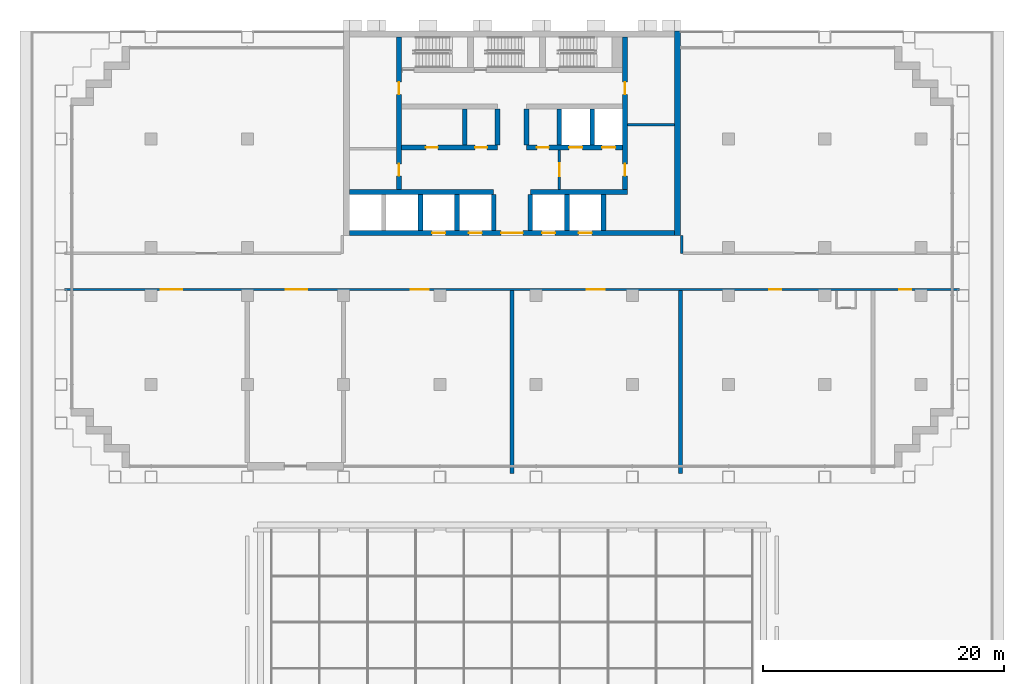
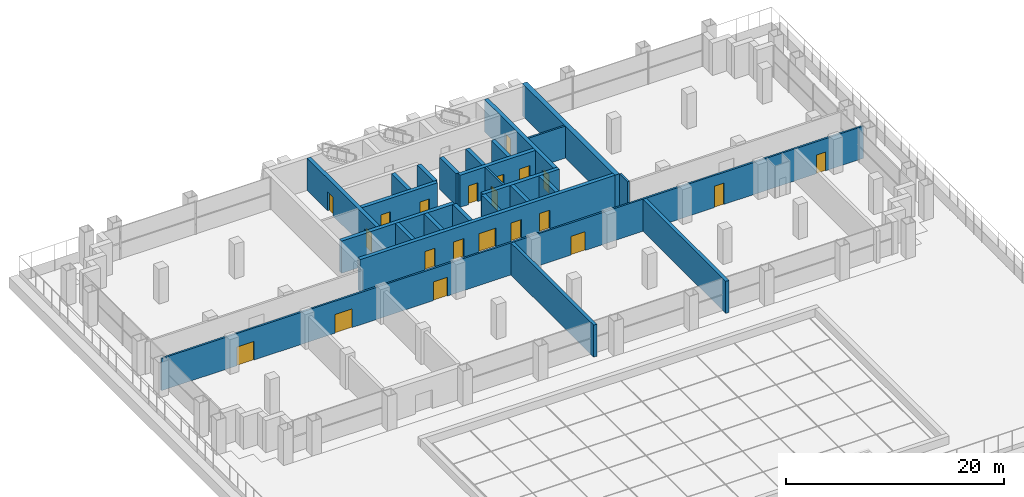
# One storey, part 11 of 16: 25 walls, 21 doors, 21 openings.
"""IFC4 building model written with IfcOpenShell, lengths in metres."""

from ifc_helpers import new_model, si_unit, direction, frame, frame_2d, origin, place, context, subcontext, project, spatial, rectangle, extrude, material, layer, layer_set, type_object, element, fill, save


model = new_model("IFC4")

# Units and contexts
model_context = context("Model", 3, precision=1e-05, world=origin(), true_north=direction((0.0, 1.0)))
body_context = subcontext(model_context, "Body", "Model", "MODEL_VIEW")
ifc_project = project(units=[si_unit("LENGTHUNIT", "METRE"), si_unit("AREAUNIT", "SQUARE_METRE"), si_unit("VOLUMEUNIT", "CUBIC_METRE"), si_unit("PLANEANGLEUNIT", "RADIAN"), si_unit("MASSUNIT", "GRAM", prefix="KILO")], contexts=[model_context])

# Site, building, storey
site_placement = place(None, origin())
site = spatial("IfcSite", under=ifc_project, at=site_placement, CompositionType="ELEMENT")
building_placement = place(site_placement, origin())
building = spatial("IfcBuilding", under=site, at=building_placement, Name="Vidyagriha Tower", CompositionType="ELEMENT")
storey_placement = place(building_placement, frame((0.0, 0.0, 26.0)))
storey = spatial("IfcBuildingStorey", under=building, at=storey_placement, Name="L06", CompositionType="ELEMENT", Elevation=26.0)

# Wall, openings, doors
ifc_material_1 = material(Name="Concrete C60/75", Category="concrete")
ifc_layer_1 = layer(ifc_material_1, 0.39990234375)
ifc_layer_set_1 = layer_set([ifc_layer_1], Name="Concrete C60/75")
wall_type_1 = type_object("IfcWallType", Name="Core shear wall 400 mm", PredefinedType="SHEAR", material=ifc_layer_set_1)
wall_1_placement = place(storey_placement, frame((-9.39990234375, 6.800048828125, 0.0), z_axis=(0.0, 0.0, 1.0), x_axis=(0.0, 1.0, 0.0)))
wall_1 = element("IfcWall", 1, at=wall_1_placement, inside=storey, type_object=wall_type_1, Name="Core west spine wall", PredefinedType="SHEAR", context=body_context, shape_type="SweptSolid", body=[
    extrude(rectangle(XDim=12.699951171875, YDim=0.39990234375, at=frame_2d((6.35009765625, 0.0))), origin(), (0.0, 0.0, 1.0), 3.60009765625),
])
opening_1_placement = place(wall_1_placement, frame((1.14990234375, 0.0, 0.0)))
opening_1 = element("IfcOpeningElement", 2, at=opening_1_placement, cuts=wall_1, Name="Opening D06-10", PredefinedType="OPENING", context=body_context, shape_type="SweptSolid", body=[
    extrude(rectangle(XDim=1.0, YDim=2.10009765625, at=frame_2d((0.5, 1.050048828125))), frame((0.0, 0.2099609375, 0.0), z_axis=(0.0, -1.0, 0.0), x_axis=(1.0, 0.0, 0.0)), (0.0, 0.0, 1.0), 0.419921875),
])
opening_2_placement = place(wall_1_placement, frame((7.925048828125, 0.0, 0.0)))
opening_2 = element("IfcOpeningElement", 3, at=opening_2_placement, cuts=wall_1, Name="Opening D06-11", PredefinedType="OPENING", context=body_context, shape_type="SweptSolid", body=[
    extrude(rectangle(XDim=1.0, YDim=2.10009765625, at=frame_2d((0.5, 1.050048828125))), frame((0.0, 0.2099609375, 0.0), z_axis=(0.0, -1.0, 0.0), x_axis=(1.0, 0.0, 0.0)), (0.0, 0.0, 1.0), 0.419921875),
])
ifc_material_2 = material(Name="Hollow metal door leaf")
door_type_1 = type_object("IfcDoorType", Name="Core room door 1000 x 2100 mm EI 60", OperationType="NOTDEFINED", PredefinedType="DOOR", material=ifc_material_2)
door_1_placement = place(opening_1_placement, frame((1.0, 0.0, 0.0), z_axis=(0.0, 0.0, 1.0), x_axis=(-1.0, 0.0, 0.0)))
door_1 = element("IfcDoor", 4, at=door_1_placement, inside=storey, type_object=door_type_1, Name="Door Storage Room 06.W1", OperationType="SINGLE_SWING_RIGHT", OverallHeight=2.10009765625, OverallWidth=1.0, PredefinedType="DOOR", context=body_context, shape_type="SweptSolid", body=[
    extrude(rectangle(XDim=1.0, YDim=2.10009765625, at=frame_2d((0.5, 1.050048828125))), frame((0.0, 0.02490234375, 0.0), z_axis=(0.0, -1.0, 0.0), x_axis=(1.0, 0.0, 0.0)), (0.0, 0.0, 1.0), 0.050048828125),
])
fill(opening_1, door_1)
door_2_placement = place(opening_2_placement, frame((1.0, 0.0, 0.0), z_axis=(0.0, 0.0, 1.0), x_axis=(-1.0, 0.0, 0.0)))
door_2 = element("IfcDoor", 5, at=door_2_placement, inside=storey, type_object=door_type_1, Name="Door Cleaners Store 06.W2", OperationType="SINGLE_SWING_LEFT", OverallHeight=2.10009765625, OverallWidth=1.0, PredefinedType="DOOR", context=body_context, shape_type="SweptSolid", body=[
    extrude(rectangle(XDim=1.0, YDim=2.10009765625, at=frame_2d((0.5, 1.050048828125))), frame((0.0, 0.02490234375, 0.0), z_axis=(0.0, -1.0, 0.0), x_axis=(1.0, 0.0, 0.0)), (0.0, 0.0, 1.0), 0.050048828125),
])
fill(opening_2, door_2)

wall_2_placement = place(storey_placement, frame((9.39990234375, 6.800048828125, 0.0), z_axis=(0.0, 0.0, 1.0), x_axis=(0.0, 1.0, 0.0)))
wall_2 = element("IfcWall", 6, at=wall_2_placement, inside=storey, type_object=wall_type_1, Name="Core east spine wall", PredefinedType="SHEAR", context=body_context, shape_type="SweptSolid", body=[
    extrude(rectangle(XDim=12.699951171875, YDim=0.39990234375, at=frame_2d((6.35009765625, 0.0))), origin(), (0.0, 0.0, 1.0), 3.60009765625),
])
opening_3_placement = place(wall_2_placement, frame((1.14990234375, 0.0, 0.0)))
opening_3 = element("IfcOpeningElement", 7, at=opening_3_placement, cuts=wall_2, Name="Opening D06-12", PredefinedType="OPENING", context=body_context, shape_type="SweptSolid", body=[
    extrude(rectangle(XDim=1.0, YDim=2.10009765625, at=frame_2d((0.5, 1.050048828125))), frame((0.0, 0.2099609375, 0.0), z_axis=(0.0, -1.0, 0.0), x_axis=(1.0, 0.0, 0.0)), (0.0, 0.0, 1.0), 0.419921875),
])
opening_4_placement = place(wall_2_placement, frame((7.925048828125, 0.0, 0.0)))
opening_4 = element("IfcOpeningElement", 8, at=opening_4_placement, cuts=wall_2, Name="Opening D06-13", PredefinedType="OPENING", context=body_context, shape_type="SweptSolid", body=[
    extrude(rectangle(XDim=1.0, YDim=2.10009765625, at=frame_2d((0.5, 1.050048828125))), frame((0.0, 0.2099609375, 0.0), z_axis=(0.0, -1.0, 0.0), x_axis=(1.0, 0.0, 0.0)), (0.0, 0.0, 1.0), 0.419921875),
])
door_3_placement = place(opening_3_placement, origin())
door_3 = element("IfcDoor", 9, at=door_3_placement, inside=storey, type_object=door_type_1, Name="Door Communications Room 06.E1", OperationType="SINGLE_SWING_RIGHT", OverallHeight=2.10009765625, OverallWidth=1.0, PredefinedType="DOOR", context=body_context, shape_type="SweptSolid", body=[
    extrude(rectangle(XDim=1.0, YDim=2.10009765625, at=frame_2d((0.5, 1.050048828125))), frame((0.0, 0.02490234375, 0.0), z_axis=(0.0, -1.0, 0.0), x_axis=(1.0, 0.0, 0.0)), (0.0, 0.0, 1.0), 0.050048828125),
])
fill(opening_3, door_3)
door_4_placement = place(opening_4_placement, origin())
door_4 = element("IfcDoor", 10, at=door_4_placement, inside=storey, type_object=door_type_1, Name="Door Riser Room 06.E2", OperationType="SINGLE_SWING_LEFT", OverallHeight=2.10009765625, OverallWidth=1.0, PredefinedType="DOOR", context=body_context, shape_type="SweptSolid", body=[
    extrude(rectangle(XDim=1.0, YDim=2.10009765625, at=frame_2d((0.5, 1.050048828125))), frame((0.0, 0.02490234375, 0.0), z_axis=(0.0, -1.0, 0.0), x_axis=(1.0, 0.0, 0.0)), (0.0, 0.0, 1.0), 0.050048828125),
])
fill(opening_4, door_4)

wall_3_placement = place(storey_placement, frame((-13.5, 3.199951171875, 0.0)))
wall_3 = element("IfcWall", 11, at=wall_3_placement, inside=storey, type_object=wall_type_1, Name="Core front wall", PredefinedType="SHEAR", context=body_context, shape_type="SweptSolid", body=[
    extrude(rectangle(XDim=27.0, YDim=0.39990234375, at=frame_2d((13.5, 0.0))), origin(), (0.0, 0.0, 1.0), 3.60009765625),
])
opening_5_placement = place(wall_3_placement, frame((6.861083984375, 0.0, 0.0)))
opening_5 = element("IfcOpeningElement", 12, at=opening_5_placement, cuts=wall_3, Name="Opening LD06-01", PredefinedType="OPENING", context=body_context, shape_type="SweptSolid", body=[
    extrude(rectangle(XDim=1.10009765625, YDim=2.10009765625, at=frame_2d((0.550048828125, 1.050048828125))), frame((0.0, 0.2099609375, 0.0), z_axis=(0.0, -1.0, 0.0), x_axis=(1.0, 0.0, 0.0)), (0.0, 0.0, 1.0), 0.419921875),
])
opening_6_placement = place(wall_3_placement, frame((9.905517578125, 0.0, 0.0)))
opening_6 = element("IfcOpeningElement", 13, at=opening_6_placement, cuts=wall_3, Name="Opening LD06-02", PredefinedType="OPENING", context=body_context, shape_type="SweptSolid", body=[
    extrude(rectangle(XDim=1.10009765625, YDim=2.10009765625, at=frame_2d((0.550048828125, 1.050048828125))), frame((0.0, 0.2099609375, 0.0), z_axis=(0.0, -1.0, 0.0), x_axis=(1.0, 0.0, 0.0)), (0.0, 0.0, 1.0), 0.419921875),
])
opening_7_placement = place(wall_3_placement, frame((15.994384765625, 0.0, 0.0)))
opening_7 = element("IfcOpeningElement", 14, at=opening_7_placement, cuts=wall_3, Name="Opening LD06-03", PredefinedType="OPENING", context=body_context, shape_type="SweptSolid", body=[
    extrude(rectangle(XDim=1.10009765625, YDim=2.10009765625, at=frame_2d((0.550048828125, 1.050048828125))), frame((0.0, 0.2099609375, 0.0), z_axis=(0.0, -1.0, 0.0), x_axis=(1.0, 0.0, 0.0)), (0.0, 0.0, 1.0), 0.419921875),
])
opening_8_placement = place(wall_3_placement, frame((19.038818359375, 0.0, 0.0)))
opening_8 = element("IfcOpeningElement", 15, at=opening_8_placement, cuts=wall_3, Name="Opening LD06-04", PredefinedType="OPENING", context=body_context, shape_type="SweptSolid", body=[
    extrude(rectangle(XDim=1.10009765625, YDim=2.10009765625, at=frame_2d((0.550048828125, 1.050048828125))), frame((0.0, 0.2099609375, 0.0), z_axis=(0.0, -1.0, 0.0), x_axis=(1.0, 0.0, 0.0)), (0.0, 0.0, 1.0), 0.419921875),
])
opening_9_placement = place(wall_3_placement, frame((12.60009765625, 0.0, 0.0)))
opening_9 = element("IfcOpeningElement", 16, at=opening_9_placement, cuts=wall_3, Name="Opening D06-02", PredefinedType="OPENING", context=body_context, shape_type="SweptSolid", body=[
    extrude(rectangle(XDim=1.800048828125, YDim=2.10009765625, at=frame_2d((0.89990234375, 1.050048828125))), frame((0.0, 0.2099609375, 0.0), z_axis=(0.0, -1.0, 0.0), x_axis=(1.0, 0.0, 0.0)), (0.0, 0.0, 1.0), 0.419921875),
])
ifc_material_3 = material(Name="Hollow metal door leaf")
door_type_2 = type_object("IfcDoorType", Name="Core lobby double door 1800 x 2100 mm EI 60", OperationType="NOTDEFINED", PredefinedType="DOOR", material=ifc_material_3)
door_5_placement = place(opening_9_placement, frame((1.800048828125, 0.0, 0.0), z_axis=(0.0, 0.0, 1.0), x_axis=(-1.0, 0.0, 0.0)))
door_5 = element("IfcDoor", 17, at=door_5_placement, inside=storey, type_object=door_type_2, Name="Core entrance door L06", OperationType="DOUBLE_DOOR_SINGLE_SWING", OverallHeight=2.10009765625, OverallWidth=1.800048828125, PredefinedType="DOOR", context=body_context, shape_type="SweptSolid", body=[
    extrude(rectangle(XDim=1.800048828125, YDim=2.10009765625, at=frame_2d((0.89990234375, 1.050048828125))), frame((0.0, 0.02490234375, 0.0), z_axis=(0.0, -1.0, 0.0), x_axis=(1.0, 0.0, 0.0)), (0.0, 0.0, 1.0), 0.050048828125),
])
fill(opening_9, door_5)
ifc_material_4 = material(Name="Stainless steel sliding door panel", Category="steel")
door_type_3 = type_object("IfcDoorType", Name="Lift landing door 1100 x 2100 mm EI 90", OperationType="NOTDEFINED", PredefinedType="DOOR", material=ifc_material_4)
door_6_placement = place(opening_5_placement, origin())
door_6 = element("IfcDoor", 18, at=door_6_placement, inside=storey, type_object=door_type_3, Name="Landing door LR1 L06", OperationType="SLIDING_TO_LEFT", OverallHeight=2.10009765625, OverallWidth=1.10009765625, PredefinedType="DOOR", context=body_context, shape_type="SweptSolid", body=[
    extrude(rectangle(XDim=1.10009765625, YDim=2.10009765625, at=frame_2d((0.550048828125, 1.050048828125))), frame((0.0, 0.02490234375, 0.0), z_axis=(0.0, -1.0, 0.0), x_axis=(1.0, 0.0, 0.0)), (0.0, 0.0, 1.0), 0.050048828125),
])
fill(opening_5, door_6)
door_7_placement = place(opening_6_placement, origin())
door_7 = element("IfcDoor", 19, at=door_7_placement, inside=storey, type_object=door_type_3, Name="Landing door LR2 L06", OperationType="SLIDING_TO_LEFT", OverallHeight=2.10009765625, OverallWidth=1.10009765625, PredefinedType="DOOR", context=body_context, shape_type="SweptSolid", body=[
    extrude(rectangle(XDim=1.10009765625, YDim=2.10009765625, at=frame_2d((0.550048828125, 1.050048828125))), frame((0.0, 0.02490234375, 0.0), z_axis=(0.0, -1.0, 0.0), x_axis=(1.0, 0.0, 0.0)), (0.0, 0.0, 1.0), 0.050048828125),
])
fill(opening_6, door_7)
door_8_placement = place(opening_7_placement, origin())
door_8 = element("IfcDoor", 20, at=door_8_placement, inside=storey, type_object=door_type_3, Name="Landing door LR3 L06", OperationType="SLIDING_TO_LEFT", OverallHeight=2.10009765625, OverallWidth=1.10009765625, PredefinedType="DOOR", context=body_context, shape_type="SweptSolid", body=[
    extrude(rectangle(XDim=1.10009765625, YDim=2.10009765625, at=frame_2d((0.550048828125, 1.050048828125))), frame((0.0, 0.02490234375, 0.0), z_axis=(0.0, -1.0, 0.0), x_axis=(1.0, 0.0, 0.0)), (0.0, 0.0, 1.0), 0.050048828125),
])
fill(opening_7, door_8)
door_9_placement = place(opening_8_placement, origin())
door_9 = element("IfcDoor", 21, at=door_9_placement, inside=storey, type_object=door_type_3, Name="Landing door LR4 L06", OperationType="SLIDING_TO_LEFT", OverallHeight=2.10009765625, OverallWidth=1.10009765625, PredefinedType="DOOR", context=body_context, shape_type="SweptSolid", body=[
    extrude(rectangle(XDim=1.10009765625, YDim=2.10009765625, at=frame_2d((0.550048828125, 1.050048828125))), frame((0.0, 0.02490234375, 0.0), z_axis=(0.0, -1.0, 0.0), x_axis=(1.0, 0.0, 0.0)), (0.0, 0.0, 1.0), 0.050048828125),
])
fill(opening_8, door_9)

# Walls
wall_4_placement = place(storey_placement, frame((-13.5, 6.60009765625, 0.0)))
element("IfcWall", 22, at=wall_4_placement, inside=storey, type_object=wall_type_1, Name="Core lobby south wall west", PredefinedType="SHEAR", context=body_context, shape_type="SweptSolid", body=[
    extrude(rectangle(XDim=11.977783203125, YDim=0.39990234375, at=frame_2d((5.98876953125, 0.0))), origin(), (0.0, 0.0, 1.0), 3.60009765625),
])
wall_5_placement = place(storey_placement, frame((1.522216796875, 6.60009765625, 0.0)))
element("IfcWall", 23, at=wall_5_placement, inside=storey, type_object=wall_type_1, Name="Core lobby south wall east", PredefinedType="SHEAR", context=body_context, shape_type="SweptSolid", body=[
    extrude(rectangle(XDim=8.077880859375, YDim=0.39990234375, at=frame_2d((4.0390625, 0.0))), origin(), (0.0, 0.0, 1.0), 3.60009765625),
])
for number, where, z_axis, x_axis, name in (
    (24, (-7.611083984375, 3.39990234375, 0.0), (0.0, 0.0, 1.0), (0.0, 1.0, 0.0), "Core bay wall S2"),
    (25, (-4.566650390625, 3.39990234375, 0.0), (0.0, 0.0, 1.0), (0.0, 1.0, 0.0), "Core bay wall S3"),
    (26, (-1.522216796875, 3.39990234375, 0.0), (0.0, 0.0, 1.0), (0.0, 1.0, 0.0), "Core bay wall S4"),
    (27, (1.522216796875, 3.39990234375, 0.0), (0.0, 0.0, 1.0), (0.0, 1.0, 0.0), "Core bay wall S5"),
    (28, (4.566650390625, 3.39990234375, 0.0), (0.0, 0.0, 1.0), (0.0, 1.0, 0.0), "Core bay wall S6"),
    (29, (7.611083984375, 3.39990234375, 0.0), (0.0, 0.0, 1.0), (0.0, 1.0, 0.0), "Core bay wall S7"),
):
    element("IfcWall", number, at=place(storey_placement, frame(where, z_axis=z_axis, x_axis=x_axis)), inside=storey, type_object=wall_type_1, Name=name, PredefinedType="SHEAR", context=body_context, shape_type="SweptSolid", body=[
        extrude(rectangle(XDim=3.0, YDim=0.39990234375, at=frame_2d((1.5, 0.0))), origin(), (0.0, 0.0, 1.0), 3.60009765625),
    ])

# Wall, openings, doors
wall_6_placement = place(storey_placement, frame((-9.199951171875, 10.300048828125, 0.0)))
wall_6 = element("IfcWall", 30, at=wall_6_placement, inside=storey, type_object=wall_type_1, Name="Core row N front wall", PredefinedType="SHEAR", context=body_context, shape_type="SweptSolid", body=[
    extrude(rectangle(XDim=8.0, YDim=0.39990234375, at=frame_2d((4.0, 0.0))), origin(), (0.0, 0.0, 1.0), 3.60009765625),
])
opening_10_placement = place(wall_6_placement, frame((2.033203125, 0.0, 0.0)))
opening_10 = element("IfcOpeningElement", 31, at=opening_10_placement, cuts=wall_6, Name="Opening D06-03", PredefinedType="OPENING", context=body_context, shape_type="SweptSolid", body=[
    extrude(rectangle(XDim=1.0, YDim=2.10009765625, at=frame_2d((0.5, 1.050048828125))), frame((0.0, 0.2099609375, 0.0), z_axis=(0.0, -1.0, 0.0), x_axis=(1.0, 0.0, 0.0)), (0.0, 0.0, 1.0), 0.419921875),
])
opening_11_placement = place(wall_6_placement, frame((6.13330078125, 0.0, 0.0)))
opening_11 = element("IfcOpeningElement", 32, at=opening_11_placement, cuts=wall_6, Name="Opening D06-04", PredefinedType="OPENING", context=body_context, shape_type="SweptSolid", body=[
    extrude(rectangle(XDim=1.0, YDim=2.10009765625, at=frame_2d((0.5, 1.050048828125))), frame((0.0, 0.2099609375, 0.0), z_axis=(0.0, -1.0, 0.0), x_axis=(1.0, 0.0, 0.0)), (0.0, 0.0, 1.0), 0.419921875),
])
door_10_placement = place(opening_10_placement, frame((1.0, 0.0, 0.0), z_axis=(0.0, 0.0, 1.0), x_axis=(-1.0, 0.0, 0.0)))
door_10 = element("IfcDoor", 33, at=door_10_placement, inside=storey, type_object=door_type_1, Name="Door Pressurisation Plant Room 06.14", OperationType="SINGLE_SWING_RIGHT", OverallHeight=2.10009765625, OverallWidth=1.0, PredefinedType="DOOR", context=body_context, shape_type="SweptSolid", body=[
    extrude(rectangle(XDim=1.0, YDim=2.10009765625, at=frame_2d((0.5, 1.050048828125))), frame((0.0, 0.02490234375, 0.0), z_axis=(0.0, -1.0, 0.0), x_axis=(1.0, 0.0, 0.0)), (0.0, 0.0, 1.0), 0.050048828125),
])
fill(opening_10, door_10)
door_11_placement = place(opening_11_placement, frame((1.0, 0.0, 0.0), z_axis=(0.0, 0.0, 1.0), x_axis=(-1.0, 0.0, 0.0)))
door_11 = element("IfcDoor", 34, at=door_11_placement, inside=storey, type_object=door_type_1, Name="Door Switchgear Room 06.15", OperationType="SINGLE_SWING_LEFT", OverallHeight=2.10009765625, OverallWidth=1.0, PredefinedType="DOOR", context=body_context, shape_type="SweptSolid", body=[
    extrude(rectangle(XDim=1.0, YDim=2.10009765625, at=frame_2d((0.5, 1.050048828125))), frame((0.0, 0.02490234375, 0.0), z_axis=(0.0, -1.0, 0.0), x_axis=(1.0, 0.0, 0.0)), (0.0, 0.0, 1.0), 0.050048828125),
])
fill(opening_11, door_11)

wall_7_placement = place(storey_placement, frame((1.199951171875, 10.300048828125, 0.0)))
wall_7 = element("IfcWall", 35, at=wall_7_placement, inside=storey, type_object=wall_type_1, Name="Core row N front wall", PredefinedType="SHEAR", context=body_context, shape_type="SweptSolid", body=[
    extrude(rectangle(XDim=8.0, YDim=0.39990234375, at=frame_2d((4.0, 0.0))), origin(), (0.0, 0.0, 1.0), 3.60009765625),
])
opening_12_placement = place(wall_7_placement, frame((3.550048828125, 0.0, 0.0)))
opening_12 = element("IfcOpeningElement", 36, at=opening_12_placement, cuts=wall_7, Name="Opening LD06-05", PredefinedType="OPENING", context=body_context, shape_type="SweptSolid", body=[
    extrude(rectangle(XDim=1.10009765625, YDim=2.10009765625, at=frame_2d((0.550048828125, 1.050048828125))), frame((0.0, 0.2099609375, 0.0), z_axis=(0.0, -1.0, 0.0), x_axis=(1.0, 0.0, 0.0)), (0.0, 0.0, 1.0), 0.419921875),
])
opening_13_placement = place(wall_7_placement, frame((6.283203125, 0.0, 0.0)))
opening_13 = element("IfcOpeningElement", 37, at=opening_13_placement, cuts=wall_7, Name="Opening LD06-06", PredefinedType="OPENING", context=body_context, shape_type="SweptSolid", body=[
    extrude(rectangle(XDim=1.10009765625, YDim=2.10009765625, at=frame_2d((0.550048828125, 1.050048828125))), frame((0.0, 0.2099609375, 0.0), z_axis=(0.0, -1.0, 0.0), x_axis=(1.0, 0.0, 0.0)), (0.0, 0.0, 1.0), 0.419921875),
])
opening_14_placement = place(wall_7_placement, frame((0.86669921875, 0.0, 0.0)))
opening_14 = element("IfcOpeningElement", 38, at=opening_14_placement, cuts=wall_7, Name="Opening D06-05", PredefinedType="OPENING", context=body_context, shape_type="SweptSolid", body=[
    extrude(rectangle(XDim=1.0, YDim=2.10009765625, at=frame_2d((0.5, 1.050048828125))), frame((0.0, 0.2099609375, 0.0), z_axis=(0.0, -1.0, 0.0), x_axis=(1.0, 0.0, 0.0)), (0.0, 0.0, 1.0), 0.419921875),
])
door_12_placement = place(opening_14_placement, frame((1.0, 0.0, 0.0), z_axis=(0.0, 0.0, 1.0), x_axis=(-1.0, 0.0, 0.0)))
door_12 = element("IfcDoor", 39, at=door_12_placement, inside=storey, type_object=door_type_1, Name="Door Electrical Room 06.16", OperationType="SINGLE_SWING_LEFT", OverallHeight=2.10009765625, OverallWidth=1.0, PredefinedType="DOOR", context=body_context, shape_type="SweptSolid", body=[
    extrude(rectangle(XDim=1.0, YDim=2.10009765625, at=frame_2d((0.5, 1.050048828125))), frame((0.0, 0.02490234375, 0.0), z_axis=(0.0, -1.0, 0.0), x_axis=(1.0, 0.0, 0.0)), (0.0, 0.0, 1.0), 0.050048828125),
])
fill(opening_14, door_12)
door_13_placement = place(opening_12_placement, origin())
door_13 = element("IfcDoor", 40, at=door_13_placement, inside=storey, type_object=door_type_3, Name="Landing door FF1 L06", OperationType="SLIDING_TO_LEFT", OverallHeight=2.10009765625, OverallWidth=1.10009765625, PredefinedType="DOOR", context=body_context, shape_type="SweptSolid", body=[
    extrude(rectangle(XDim=1.10009765625, YDim=2.10009765625, at=frame_2d((0.550048828125, 1.050048828125))), frame((0.0, 0.02490234375, 0.0), z_axis=(0.0, -1.0, 0.0), x_axis=(1.0, 0.0, 0.0)), (0.0, 0.0, 1.0), 0.050048828125),
])
fill(opening_12, door_13)
door_14_placement = place(opening_13_placement, origin())
door_14 = element("IfcDoor", 41, at=door_14_placement, inside=storey, type_object=door_type_3, Name="Landing door FF2 L06", OperationType="SLIDING_TO_LEFT", OverallHeight=2.10009765625, OverallWidth=1.10009765625, PredefinedType="DOOR", context=body_context, shape_type="SweptSolid", body=[
    extrude(rectangle(XDim=1.10009765625, YDim=2.10009765625, at=frame_2d((0.550048828125, 1.050048828125))), frame((0.0, 0.02490234375, 0.0), z_axis=(0.0, -1.0, 0.0), x_axis=(1.0, 0.0, 0.0)), (0.0, 0.0, 1.0), 0.050048828125),
])
fill(opening_13, door_14)

# Walls
for number, where, z_axis, x_axis, name in (
    (42, (-3.933349609375, 10.5, 0.0), (0.0, 0.0, 1.0), (0.0, 1.0, 0.0), "Core bay wall N2"),
    (43, (-1.199951171875, 10.5, 0.0), (0.0, 0.0, 1.0), (0.0, 1.0, 0.0), "Core bay wall N3"),
    (44, (1.199951171875, 10.5, 0.0), (0.0, 0.0, 1.0), (0.0, 1.0, 0.0), "Core bay wall N4"),
    (45, (3.933349609375, 10.5, 0.0), (0.0, 0.0, 1.0), (0.0, 1.0, 0.0), "Core bay wall N5"),
    (46, (6.666748046875, 10.5, 0.0), (0.0, 0.0, 1.0), (0.0, 1.0, 0.0), "Core bay wall N6"),
):
    element("IfcWall", number, at=place(storey_placement, frame(where, z_axis=z_axis, x_axis=x_axis)), inside=storey, type_object=wall_type_1, Name=name, PredefinedType="SHEAR", context=body_context, shape_type="SweptSolid", body=[
        extrude(rectangle(XDim=3.0, YDim=0.39990234375, at=frame_2d((1.5, 0.0))), origin(), (0.0, 0.0, 1.0), 3.60009765625),
    ])
ifc_material_5 = material(Name="Concrete C60/75", Category="concrete")
ifc_layer_2 = layer(ifc_material_5, 0.5)
ifc_layer_set_2 = layer_set([ifc_layer_2], Name="Concrete C60/75")
wall_type_2 = type_object("IfcWallType", Name="Core shear wall 500 mm", PredefinedType="SHEAR", material=ifc_layer_set_2)
wall_8_placement = place(storey_placement, frame((13.75, 3.0, 0.0), z_axis=(0.0, 0.0, 1.0), x_axis=(0.0, 1.0, 0.0)))
element("IfcWall", 47, at=wall_8_placement, inside=storey, type_object=wall_type_2, Name="Core east wall", PredefinedType="SHEAR", context=body_context, shape_type="SweptSolid", body=[
    extrude(rectangle(XDim=17.0, YDim=0.5, at=frame_2d((8.5, 0.0))), origin(), (0.0, 0.0, 1.0), 3.60009765625),
])

# Wall, opening, door
ifc_material_6 = material(Name="Blockwork 15 MPa", Category="masonry")
ifc_layer_3 = layer(ifc_material_6, 0.199951171875)
ifc_layer_set_3 = layer_set([ifc_layer_3], Name="Blockwork 15 MPa")
wall_type_3 = type_object("IfcWallType", Name="Service room partition 200 mm", PredefinedType="PARTITIONING", material=ifc_layer_set_3)
wall_9_placement = place(storey_placement, frame((3.933349609375, 6.800048828125, 0.0), z_axis=(0.0, 0.0, 1.0), x_axis=(0.0, 1.0, 0.0)))
wall_9 = element("IfcWall", 48, at=wall_9_placement, inside=storey, type_object=wall_type_3, Name="Fire-fighting lobby west wall", PredefinedType="PARTITIONING", context=body_context, shape_type="SweptSolid", body=[
    extrude(rectangle(XDim=3.300048828125, YDim=0.199951171875, at=frame_2d((1.64990234375, 0.0))), origin(), (0.0, 0.0, 1.0), 3.60009765625),
])
opening_15_placement = place(wall_9_placement, frame((1.10009765625, 0.0, 0.0)))
opening_15 = element("IfcOpeningElement", 49, at=opening_15_placement, cuts=wall_9, Name="Opening D06-06", PredefinedType="OPENING", context=body_context, shape_type="SweptSolid", body=[
    extrude(rectangle(XDim=1.10009765625, YDim=2.10009765625, at=frame_2d((0.550048828125, 1.050048828125))), frame((0.0, 0.10986328125, 0.0), z_axis=(0.0, -1.0, 0.0), x_axis=(1.0, 0.0, 0.0)), (0.0, 0.0, 1.0), 0.219970703125),
])
ifc_material_7 = material(Name="Hollow metal door leaf")
door_type_4 = type_object("IfcDoorType", Name="Fire-fighting lobby door 1100 x 2100 mm EI 90", OperationType="NOTDEFINED", PredefinedType="DOOR", material=ifc_material_7)
door_15_placement = place(opening_15_placement, origin())
door_15 = element("IfcDoor", 50, at=door_15_placement, inside=storey, type_object=door_type_4, Name="Fire-fighting lobby door L06", OperationType="SINGLE_SWING_RIGHT", OverallHeight=2.10009765625, OverallWidth=1.10009765625, PredefinedType="DOOR", context=body_context, shape_type="SweptSolid", body=[
    extrude(rectangle(XDim=1.10009765625, YDim=2.10009765625, at=frame_2d((0.550048828125, 1.050048828125))), frame((0.0, 0.02490234375, 0.0), z_axis=(0.0, -1.0, 0.0), x_axis=(1.0, 0.0, 0.0)), (0.0, 0.0, 1.0), 0.050048828125),
])
fill(opening_15, door_15)

# Wall
wall_10_placement = place(storey_placement, frame((9.60009765625, 12.199951171875, 0.0)))
element("IfcWall", 51, at=wall_10_placement, inside=storey, type_object=wall_type_3, Name="Core room partition E1", PredefinedType="PARTITIONING", context=body_context, shape_type="SweptSolid", body=[
    extrude(rectangle(XDim=3.89990234375, YDim=0.199951171875, at=frame_2d((1.949951171875, 0.0))), origin(), (0.0, 0.0, 1.0), 3.60009765625),
])

# Wall, openings, doors
wall_11_placement = place(storey_placement, frame((-37.199951171875, -1.5, 0.0)))
wall_11 = element("IfcWall", 52, at=wall_11_placement, inside=storey, type_object=wall_type_3, Name="Plant corridor south wall", PredefinedType="PARTITIONING", context=body_context, shape_type="SweptSolid", body=[
    extrude(rectangle(XDim=74.39990234375, YDim=0.199951171875, at=frame_2d((37.199951171875, 0.0))), origin(), (0.0, 0.0, 1.0), 3.60009765625),
])
opening_16_placement = place(wall_11_placement, frame((8.0, 0.0, 0.0)))
opening_16 = element("IfcOpeningElement", 53, at=opening_16_placement, cuts=wall_11, Name="Opening D06-14", PredefinedType="OPENING", context=body_context, shape_type="SweptSolid", body=[
    extrude(rectangle(XDim=1.800048828125, YDim=2.10009765625, at=frame_2d((0.89990234375, 1.050048828125))), frame((0.0, 0.10986328125, 0.0), z_axis=(0.0, -1.0, 0.0), x_axis=(1.0, 0.0, 0.0)), (0.0, 0.0, 1.0), 0.219970703125),
])
opening_17_placement = place(wall_11_placement, frame((18.39990234375, 0.0, 0.0)))
opening_17 = element("IfcOpeningElement", 54, at=opening_17_placement, cuts=wall_11, Name="Opening D06-15", PredefinedType="OPENING", context=body_context, shape_type="SweptSolid", body=[
    extrude(rectangle(XDim=1.800048828125, YDim=2.10009765625, at=frame_2d((0.89990234375, 1.050048828125))), frame((0.0, 0.10986328125, 0.0), z_axis=(0.0, -1.0, 0.0), x_axis=(1.0, 0.0, 0.0)), (0.0, 0.0, 1.0), 0.219970703125),
])
opening_18_placement = place(wall_11_placement, frame((28.800048828125, 0.0, 0.0)))
opening_18 = element("IfcOpeningElement", 55, at=opening_18_placement, cuts=wall_11, Name="Opening D06-16", PredefinedType="OPENING", context=body_context, shape_type="SweptSolid", body=[
    extrude(rectangle(XDim=1.5, YDim=2.10009765625, at=frame_2d((0.75, 1.050048828125))), frame((0.0, 0.10986328125, 0.0), z_axis=(0.0, -1.0, 0.0), x_axis=(1.0, 0.0, 0.0)), (0.0, 0.0, 1.0), 0.219970703125),
])
opening_19_placement = place(wall_11_placement, frame((43.39990234375, 0.0, 0.0)))
opening_19 = element("IfcOpeningElement", 56, at=opening_19_placement, cuts=wall_11, Name="Opening D06-17", PredefinedType="OPENING", context=body_context, shape_type="SweptSolid", body=[
    extrude(rectangle(XDim=1.5, YDim=2.10009765625, at=frame_2d((0.75, 1.050048828125))), frame((0.0, 0.10986328125, 0.0), z_axis=(0.0, -1.0, 0.0), x_axis=(1.0, 0.0, 0.0)), (0.0, 0.0, 1.0), 0.219970703125),
])
opening_20_placement = place(wall_11_placement, frame((58.60009765625, 0.0, 0.0)))
opening_20 = element("IfcOpeningElement", 57, at=opening_20_placement, cuts=wall_11, Name="Opening D06-18", PredefinedType="OPENING", context=body_context, shape_type="SweptSolid", body=[
    extrude(rectangle(XDim=1.0, YDim=2.39990234375, at=frame_2d((0.5, 1.199951171875))), frame((0.0, 0.10986328125, 0.0), z_axis=(0.0, -1.0, 0.0), x_axis=(1.0, 0.0, 0.0)), (0.0, 0.0, 1.0), 0.219970703125),
])
opening_21_placement = place(wall_11_placement, frame((69.39990234375, 0.0, 0.0)))
opening_21 = element("IfcOpeningElement", 58, at=opening_21_placement, cuts=wall_11, Name="Opening D06-20", PredefinedType="OPENING", context=body_context, shape_type="SweptSolid", body=[
    extrude(rectangle(XDim=1.0, YDim=2.10009765625, at=frame_2d((0.5, 1.050048828125))), frame((0.0, 0.10986328125, 0.0), z_axis=(0.0, -1.0, 0.0), x_axis=(1.0, 0.0, 0.0)), (0.0, 0.0, 1.0), 0.219970703125),
])
door_16_placement = place(opening_16_placement, origin())
door_16 = element("IfcDoor", 59, at=door_16_placement, inside=storey, type_object=door_type_2, Name="Door Play Deck Lounge 06.01", OperationType="DOUBLE_DOOR_SINGLE_SWING", OverallHeight=2.10009765625, OverallWidth=1.800048828125, PredefinedType="DOOR", context=body_context, shape_type="SweptSolid", body=[
    extrude(rectangle(XDim=1.800048828125, YDim=2.10009765625, at=frame_2d((0.89990234375, 1.050048828125))), frame((0.0, 0.02490234375, 0.0), z_axis=(0.0, -1.0, 0.0), x_axis=(1.0, 0.0, 0.0)), (0.0, 0.0, 1.0), 0.050048828125),
])
fill(opening_16, door_16)
door_17_placement = place(opening_17_placement, origin())
door_17 = element("IfcDoor", 60, at=door_17_placement, inside=storey, type_object=door_type_2, Name="Door Play Deck Lounge 06.02", OperationType="DOUBLE_DOOR_SINGLE_SWING", OverallHeight=2.10009765625, OverallWidth=1.800048828125, PredefinedType="DOOR", context=body_context, shape_type="SweptSolid", body=[
    extrude(rectangle(XDim=1.800048828125, YDim=2.10009765625, at=frame_2d((0.89990234375, 1.050048828125))), frame((0.0, 0.02490234375, 0.0), z_axis=(0.0, -1.0, 0.0), x_axis=(1.0, 0.0, 0.0)), (0.0, 0.0, 1.0), 0.050048828125),
])
fill(opening_17, door_17)
door_18_placement = place(opening_21_placement, origin())
door_18 = element("IfcDoor", 61, at=door_18_placement, inside=storey, type_object=door_type_1, Name="Door Staff Room 06.06", OperationType="SINGLE_SWING_LEFT", OverallHeight=2.10009765625, OverallWidth=1.0, PredefinedType="DOOR", context=body_context, shape_type="SweptSolid", body=[
    extrude(rectangle(XDim=1.0, YDim=2.10009765625, at=frame_2d((0.5, 1.050048828125))), frame((0.0, 0.02490234375, 0.0), z_axis=(0.0, -1.0, 0.0), x_axis=(1.0, 0.0, 0.0)), (0.0, 0.0, 1.0), 0.050048828125),
])
fill(opening_21, door_18)
ifc_material_8 = material(Name="Hollow metal door leaf")
door_type_5 = type_object("IfcDoorType", Name="Electrical room door 1000 x 2400 mm EI 90", OperationType="NOTDEFINED", PredefinedType="DOOR", material=ifc_material_8)
door_19_placement = place(opening_20_placement, origin())
door_19 = element("IfcDoor", 62, at=door_19_placement, inside=storey, type_object=door_type_5, Name="Door Transformer Room 06.05", OperationType="SINGLE_SWING_RIGHT", OverallHeight=2.39990234375, OverallWidth=1.0, PredefinedType="DOOR", context=body_context, shape_type="SweptSolid", body=[
    extrude(rectangle(XDim=1.0, YDim=2.39990234375, at=frame_2d((0.5, 1.199951171875))), frame((0.0, 0.02490234375, 0.0), z_axis=(0.0, -1.0, 0.0), x_axis=(1.0, 0.0, 0.0)), (0.0, 0.0, 1.0), 0.050048828125),
])
fill(opening_20, door_19)
ifc_material_9 = material(Name="Hollow metal door leaf")
door_type_6 = type_object("IfcDoorType", Name="Refuge area double door 1500 x 2100 mm EI 90", OperationType="NOTDEFINED", PredefinedType="DOOR", material=ifc_material_9)
door_20_placement = place(opening_18_placement, origin())
door_20 = element("IfcDoor", 63, at=door_20_placement, inside=storey, type_object=door_type_6, Name="Door Refuge Area 06.1", OperationType="DOUBLE_DOOR_SINGLE_SWING", OverallHeight=2.10009765625, OverallWidth=1.5, PredefinedType="DOOR", context=body_context, shape_type="SweptSolid", body=[
    extrude(rectangle(XDim=1.5, YDim=2.10009765625, at=frame_2d((0.75, 1.050048828125))), frame((0.0, 0.02490234375, 0.0), z_axis=(0.0, -1.0, 0.0), x_axis=(1.0, 0.0, 0.0)), (0.0, 0.0, 1.0), 0.050048828125),
])
fill(opening_18, door_20)
door_21_placement = place(opening_19_placement, origin())
door_21 = element("IfcDoor", 64, at=door_21_placement, inside=storey, type_object=door_type_6, Name="Door Refuge Area 06.2", OperationType="DOUBLE_DOOR_SINGLE_SWING", OverallHeight=2.10009765625, OverallWidth=1.5, PredefinedType="DOOR", context=body_context, shape_type="SweptSolid", body=[
    extrude(rectangle(XDim=1.5, YDim=2.10009765625, at=frame_2d((0.75, 1.050048828125))), frame((0.0, 0.02490234375, 0.0), z_axis=(0.0, -1.0, 0.0), x_axis=(1.0, 0.0, 0.0)), (0.0, 0.0, 1.0), 0.050048828125),
])
fill(opening_19, door_21)

# Walls
wall_12_placement = place(storey_placement, frame((14.10009765625, 1.5, 0.0), z_axis=(0.0, 0.0, 1.0), x_axis=(0.0, 1.0, 0.0)))
element("IfcWall", 65, at=wall_12_placement, inside=storey, type_object=wall_type_3, Name="Lift hall east return wall", PredefinedType="PARTITIONING", context=body_context, shape_type="SweptSolid", body=[
    extrude(rectangle(XDim=1.5, YDim=0.199951171875, at=frame_2d((0.75, 0.0))), origin(), (0.0, 0.0, 1.0), 3.60009765625),
])
ifc_material_10 = material(Name="Blockwork 15 MPa", Category="masonry")
ifc_layer_4 = layer(ifc_material_10, 0.35009765625)
ifc_layer_set_4 = layer_set([ifc_layer_4], Name="Blockwork 15 MPa")
wall_type_4 = type_object("IfcWallType", Name="Service room partition 350 mm", PredefinedType="PARTITIONING", material=ifc_layer_set_4)
for number, where, z_axis, x_axis, name in (
    (66, (0.0, -16.800048828125, 0.0), (0.0, 0.0, 1.0), (0.0, 1.0, 0.0), "Plant room wall"),
    (67, (14.0, -16.800048828125, 0.0), (0.0, 0.0, 1.0), (0.0, 1.0, 0.0), "Plant room wall"),
):
    element("IfcWall", number, at=place(storey_placement, frame(where, z_axis=z_axis, x_axis=x_axis)), inside=storey, type_object=wall_type_4, Name=name, PredefinedType="PARTITIONING", context=body_context, shape_type="SweptSolid", body=[
        extrude(rectangle(XDim=15.199951171875, YDim=0.35009765625, at=frame_2d((7.60009765625, 0.0))), origin(), (0.0, 0.0, 1.0), 3.60009765625),
    ])

save(model, "model.ifc")
